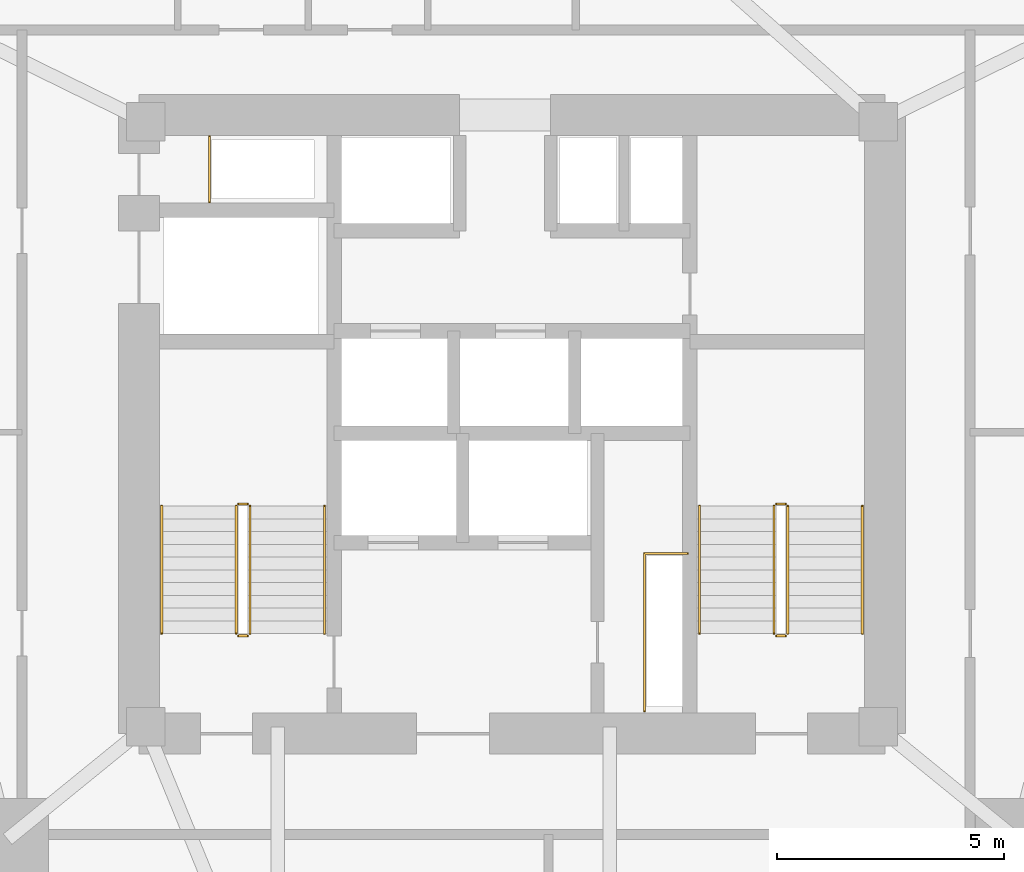
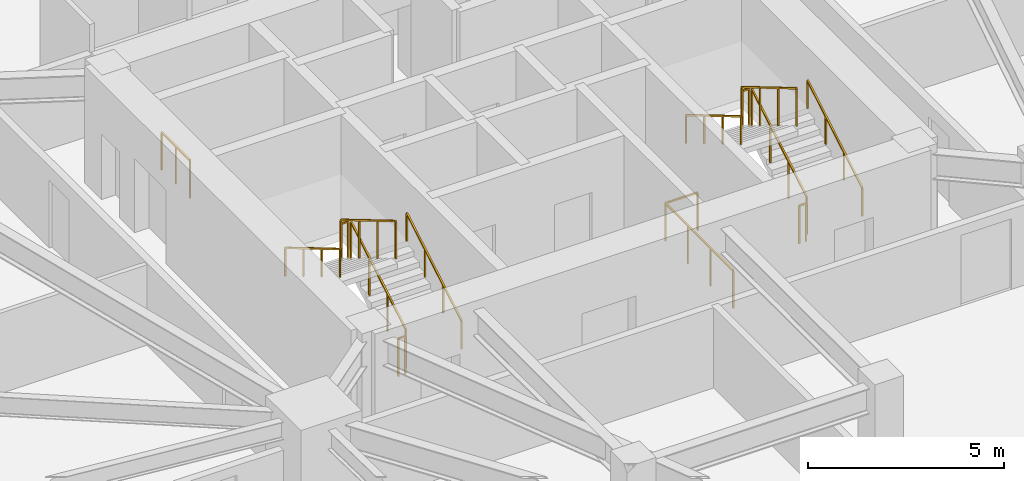
# One storey, part 20 of 20: 14 railings.
"""IFC4 building model written with IfcOpenShell, lengths in metres."""

from ifc_helpers import new_model, si_unit, direction, frame, origin, origin_2d, place, context, subcontext, project, spatial, rectangle, extrude, material, type_object, element, save


model = new_model("IFC4")

# Units and contexts
model_context = context("Model", 3, precision=1e-05, world=origin(), true_north=direction((0.0, 1.0)))
body_context = subcontext(model_context, "Body", "Model", "MODEL_VIEW")
ifc_project = project(units=[si_unit("LENGTHUNIT", "METRE"), si_unit("AREAUNIT", "SQUARE_METRE"), si_unit("VOLUMEUNIT", "CUBIC_METRE"), si_unit("PLANEANGLEUNIT", "RADIAN"), si_unit("MASSUNIT", "GRAM", prefix="KILO")], contexts=[model_context])

# Site, building, storey
site_placement = place(None, origin())
site = spatial("IfcSite", under=ifc_project, at=site_placement, CompositionType="ELEMENT")
building_placement = place(site_placement, origin())
building = spatial("IfcBuilding", under=site, at=building_placement, Name="Talyreon Biosciences Tower", CompositionType="ELEMENT")
storey_placement = place(building_placement, frame((0.0, 0.0, 30.10009765625)))
storey = spatial("IfcBuildingStorey", under=building, at=storey_placement, Name="L07", CompositionType="ELEMENT", Elevation=30.10009765625)

# Railings
ifc_material_1 = material(Name="Brushed stainless-steel tubular handrail", Category="steel")
railing_type_1 = type_object("IfcRailingType", Name="StairWallHandrail_900", PredefinedType="HANDRAIL", material=ifc_material_1)
railing_1_placement = place(storey_placement, frame((61.8798828125, 63.39990234375, 0.165771484375)))
element("IfcRailing", 1, at=railing_1_placement, inside=storey, type_object=railing_type_1, Name="L07 ST-1 stair handrail 1", PredefinedType="HANDRAIL", context=body_context, shape_type="SweptSolid", body=[
    extrude(rectangle(XDim=0.048095703125, YDim=0.048095703125, at=origin_2d()), frame((0.0, 0.0, 0.8759765625), z_axis=(0.0, 0.860306154799, 0.50977771628), x_axis=(-1.0, 0.0, 0.0)), (0.0, 0.0, 1.0), 3.254638671875),
    extrude(rectangle(XDim=0.0419921875, YDim=0.0419921875, at=origin_2d()), origin(), (0.0, 0.0, 1.0), 0.851806640625),
    extrude(rectangle(XDim=0.0419921875, YDim=0.0419921875, at=origin_2d()), frame((0.0, 0.933349609375, 0.552978515625)), (0.0, 0.0, 1.0), 0.851806640625),
    extrude(rectangle(XDim=0.0419921875, YDim=0.0419921875, at=origin_2d()), frame((0.0, 1.86669921875, 1.106201171875)), (0.0, 0.0, 1.0), 0.851806640625),
    extrude(rectangle(XDim=0.0419921875, YDim=0.0419921875, at=origin_2d()), frame((0.0, 2.800048828125, 1.6591796875)), (0.0, 0.0, 1.0), 0.851806640625),
])
railing_2_placement = place(storey_placement, frame((58.300048828125, 66.199951171875, 1.99072265625)))
element("IfcRailing", 2, at=railing_2_placement, inside=storey, type_object=railing_type_1, Name="L07 ST-1 stair handrail 2", PredefinedType="HANDRAIL", context=body_context, shape_type="SweptSolid", body=[
    extrude(rectangle(XDim=0.048095703125, YDim=0.048095703125, at=origin_2d()), frame((0.0, 0.0, 0.8759765625), z_axis=(0.0, -0.860306154799, 0.50977771628), x_axis=(1.0, 0.0, 0.0)), (0.0, 0.0, 1.0), 3.254638671875),
    extrude(rectangle(XDim=0.0419921875, YDim=0.0419921875, at=origin_2d()), origin(), (0.0, 0.0, 1.0), 0.851806640625),
    extrude(rectangle(XDim=0.0419921875, YDim=0.0419921875, at=origin_2d()), frame((0.0, -0.933349609375, 0.552978515625)), (0.0, 0.0, 1.0), 0.851806640625),
    extrude(rectangle(XDim=0.0419921875, YDim=0.0419921875, at=origin_2d()), frame((0.0, -1.86669921875, 1.106201171875)), (0.0, 0.0, 1.0), 0.851806640625),
    extrude(rectangle(XDim=0.0419921875, YDim=0.0419921875, at=origin_2d()), frame((0.0, -2.800048828125, 1.6591796875)), (0.0, 0.0, 1.0), 0.851806640625),
])
railing_3_placement = place(storey_placement, frame((73.699951171875, 63.39990234375, 0.165771484375)))
element("IfcRailing", 3, at=railing_3_placement, inside=storey, type_object=railing_type_1, Name="L07 ST-2 stair handrail 1", PredefinedType="HANDRAIL", context=body_context, shape_type="SweptSolid", body=[
    extrude(rectangle(XDim=0.048095703125, YDim=0.048095703125, at=origin_2d()), frame((0.0, 0.0, 0.8759765625), z_axis=(0.0, 0.860306154799, 0.50977771628), x_axis=(-1.0, 0.0, 0.0)), (0.0, 0.0, 1.0), 3.254638671875),
    extrude(rectangle(XDim=0.0419921875, YDim=0.0419921875, at=origin_2d()), origin(), (0.0, 0.0, 1.0), 0.851806640625),
    extrude(rectangle(XDim=0.0419921875, YDim=0.0419921875, at=origin_2d()), frame((0.0, 0.933349609375, 0.552978515625)), (0.0, 0.0, 1.0), 0.851806640625),
    extrude(rectangle(XDim=0.0419921875, YDim=0.0419921875, at=origin_2d()), frame((0.0, 1.86669921875, 1.106201171875)), (0.0, 0.0, 1.0), 0.851806640625),
    extrude(rectangle(XDim=0.0419921875, YDim=0.0419921875, at=origin_2d()), frame((0.0, 2.800048828125, 1.6591796875)), (0.0, 0.0, 1.0), 0.851806640625),
])
railing_4_placement = place(storey_placement, frame((70.1201171875, 66.199951171875, 1.99072265625)))
element("IfcRailing", 4, at=railing_4_placement, inside=storey, type_object=railing_type_1, Name="L07 ST-2 stair handrail 2", PredefinedType="HANDRAIL", context=body_context, shape_type="SweptSolid", body=[
    extrude(rectangle(XDim=0.048095703125, YDim=0.048095703125, at=origin_2d()), frame((0.0, 0.0, 0.8759765625), z_axis=(0.0, -0.860306154799, 0.50977771628), x_axis=(1.0, 0.0, 0.0)), (0.0, 0.0, 1.0), 3.254638671875),
    extrude(rectangle(XDim=0.0419921875, YDim=0.0419921875, at=origin_2d()), origin(), (0.0, 0.0, 1.0), 0.851806640625),
    extrude(rectangle(XDim=0.0419921875, YDim=0.0419921875, at=origin_2d()), frame((0.0, -0.933349609375, 0.552978515625)), (0.0, 0.0, 1.0), 0.851806640625),
    extrude(rectangle(XDim=0.0419921875, YDim=0.0419921875, at=origin_2d()), frame((0.0, -1.86669921875, 1.106201171875)), (0.0, 0.0, 1.0), 0.851806640625),
    extrude(rectangle(XDim=0.0419921875, YDim=0.0419921875, at=origin_2d()), frame((0.0, -2.800048828125, 1.6591796875)), (0.0, 0.0, 1.0), 0.851806640625),
])
ifc_material_2 = material(Name="Painted galvanised steel post-and-rail balustrade", Category="steel")
railing_type_2 = type_object("IfcRailingType", Name="TerraceStairGuard_1200", PredefinedType="GUARDRAIL", material=ifc_material_2)
railing_5_placement = place(storey_placement, frame((60.239990234375, 63.39990234375, 0.165771484375)))
element("IfcRailing", 5, at=railing_5_placement, inside=storey, type_object=railing_type_2, Name="L07 ST-1 stair guard 1", PredefinedType="GUARDRAIL", context=body_context, shape_type="SweptSolid", body=[
    extrude(rectangle(XDim=0.048095703125, YDim=0.048095703125, at=origin_2d()), frame((0.0, 0.0, 1.17578125), z_axis=(0.0, 0.860306154799, 0.50977771628), x_axis=(-1.0, 0.0, 0.0)), (0.0, 0.0, 1.0), 3.254638671875),
    extrude(rectangle(XDim=0.0419921875, YDim=0.0419921875, at=origin_2d()), origin(), (0.0, 0.0, 1.0), 1.15185546875),
    extrude(rectangle(XDim=0.0419921875, YDim=0.0419921875, at=origin_2d()), frame((0.0, 0.933349609375, 0.552978515625)), (0.0, 0.0, 1.0), 1.15185546875),
    extrude(rectangle(XDim=0.0419921875, YDim=0.0419921875, at=origin_2d()), frame((0.0, 1.86669921875, 1.106201171875)), (0.0, 0.0, 1.0), 1.15185546875),
    extrude(rectangle(XDim=0.0419921875, YDim=0.0419921875, at=origin_2d()), frame((0.0, 2.800048828125, 1.6591796875)), (0.0, 0.0, 1.0), 1.15185546875),
])
railing_6_placement = place(storey_placement, frame((60.18994140625, 66.25, 1.824951171875)))
element("IfcRailing", 6, at=railing_6_placement, inside=storey, type_object=railing_type_2, Name="L07 ST-1 stair guard 2", PredefinedType="GUARDRAIL", context=body_context, shape_type="SweptSolid", body=[
    extrude(rectangle(XDim=0.048095703125, YDim=0.048095703125, at=origin_2d()), frame((0.0, 0.0, 1.17578125), z_axis=(-1.0, 0.0, 0.0), x_axis=(0.0, -1.0, 0.0)), (0.0, 0.0, 1.0), 0.199951171875),
    extrude(rectangle(XDim=0.0419921875, YDim=0.0419921875, at=origin_2d()), origin(), (0.0, 0.0, 1.0), 1.15185546875),
    extrude(rectangle(XDim=0.0419921875, YDim=0.0419921875, at=origin_2d()), frame((-0.199951171875, 0.0, 0.0)), (0.0, 0.0, 1.0), 1.15185546875),
])
railing_7_placement = place(storey_placement, frame((59.93994140625, 66.199951171875, 1.99072265625)))
element("IfcRailing", 7, at=railing_7_placement, inside=storey, type_object=railing_type_2, Name="L07 ST-1 stair guard 3", PredefinedType="GUARDRAIL", context=body_context, shape_type="SweptSolid", body=[
    extrude(rectangle(XDim=0.048095703125, YDim=0.048095703125, at=origin_2d()), frame((0.0, 0.0, 1.17578125), z_axis=(0.0, -0.860306154799, 0.50977771628), x_axis=(1.0, 0.0, 0.0)), (0.0, 0.0, 1.0), 3.254638671875),
    extrude(rectangle(XDim=0.0419921875, YDim=0.0419921875, at=origin_2d()), origin(), (0.0, 0.0, 1.0), 1.15185546875),
    extrude(rectangle(XDim=0.0419921875, YDim=0.0419921875, at=origin_2d()), frame((0.0, -0.933349609375, 0.552978515625)), (0.0, 0.0, 1.0), 1.15185546875),
    extrude(rectangle(XDim=0.0419921875, YDim=0.0419921875, at=origin_2d()), frame((0.0, -1.86669921875, 1.106201171875)), (0.0, 0.0, 1.0), 1.15185546875),
    extrude(rectangle(XDim=0.0419921875, YDim=0.0419921875, at=origin_2d()), frame((0.0, -2.800048828125, 1.6591796875)), (0.0, 0.0, 1.0), 1.15185546875),
])
railing_8_placement = place(storey_placement, frame((60.18994140625, 63.35009765625, 0.0)))
element("IfcRailing", 8, at=railing_8_placement, inside=storey, type_object=railing_type_2, Name="L07 ST-1 stair guard 4", PredefinedType="GUARDRAIL", context=body_context, shape_type="SweptSolid", body=[
    extrude(rectangle(XDim=0.048095703125, YDim=0.048095703125, at=origin_2d()), frame((0.0, 0.0, 1.17578125), z_axis=(-1.0, 0.0, 0.0), x_axis=(0.0, -1.0, 0.0)), (0.0, 0.0, 1.0), 0.199951171875),
    extrude(rectangle(XDim=0.0419921875, YDim=0.0419921875, at=origin_2d()), origin(), (0.0, 0.0, 1.0), 1.15185546875),
    extrude(rectangle(XDim=0.0419921875, YDim=0.0419921875, at=origin_2d()), frame((-0.199951171875, 0.0, 0.0)), (0.0, 0.0, 1.0), 1.15185546875),
])
railing_9_placement = place(storey_placement, frame((72.06005859375, 63.39990234375, 0.165771484375)))
element("IfcRailing", 9, at=railing_9_placement, inside=storey, type_object=railing_type_2, Name="L07 ST-2 stair guard 1", PredefinedType="GUARDRAIL", context=body_context, shape_type="SweptSolid", body=[
    extrude(rectangle(XDim=0.048095703125, YDim=0.048095703125, at=origin_2d()), frame((0.0, 0.0, 1.17578125), z_axis=(0.0, 0.860306154799, 0.50977771628), x_axis=(-1.0, 0.0, 0.0)), (0.0, 0.0, 1.0), 3.254638671875),
    extrude(rectangle(XDim=0.0419921875, YDim=0.0419921875, at=origin_2d()), origin(), (0.0, 0.0, 1.0), 1.15185546875),
    extrude(rectangle(XDim=0.0419921875, YDim=0.0419921875, at=origin_2d()), frame((0.0, 0.933349609375, 0.552978515625)), (0.0, 0.0, 1.0), 1.15185546875),
    extrude(rectangle(XDim=0.0419921875, YDim=0.0419921875, at=origin_2d()), frame((0.0, 1.86669921875, 1.106201171875)), (0.0, 0.0, 1.0), 1.15185546875),
    extrude(rectangle(XDim=0.0419921875, YDim=0.0419921875, at=origin_2d()), frame((0.0, 2.800048828125, 1.6591796875)), (0.0, 0.0, 1.0), 1.15185546875),
])
railing_10_placement = place(storey_placement, frame((72.010009765625, 66.25, 1.824951171875)))
element("IfcRailing", 10, at=railing_10_placement, inside=storey, type_object=railing_type_2, Name="L07 ST-2 stair guard 2", PredefinedType="GUARDRAIL", context=body_context, shape_type="SweptSolid", body=[
    extrude(rectangle(XDim=0.048095703125, YDim=0.048095703125, at=origin_2d()), frame((0.0, 0.0, 1.17578125), z_axis=(-1.0, 0.0, 0.0), x_axis=(0.0, -1.0, 0.0)), (0.0, 0.0, 1.0), 0.199951171875),
    extrude(rectangle(XDim=0.0419921875, YDim=0.0419921875, at=origin_2d()), origin(), (0.0, 0.0, 1.0), 1.15185546875),
    extrude(rectangle(XDim=0.0419921875, YDim=0.0419921875, at=origin_2d()), frame((-0.199951171875, 0.0, 0.0)), (0.0, 0.0, 1.0), 1.15185546875),
])
railing_11_placement = place(storey_placement, frame((71.760009765625, 66.199951171875, 1.99072265625)))
element("IfcRailing", 11, at=railing_11_placement, inside=storey, type_object=railing_type_2, Name="L07 ST-2 stair guard 3", PredefinedType="GUARDRAIL", context=body_context, shape_type="SweptSolid", body=[
    extrude(rectangle(XDim=0.048095703125, YDim=0.048095703125, at=origin_2d()), frame((0.0, 0.0, 1.17578125), z_axis=(0.0, -0.860306154799, 0.50977771628), x_axis=(1.0, 0.0, 0.0)), (0.0, 0.0, 1.0), 3.254638671875),
    extrude(rectangle(XDim=0.0419921875, YDim=0.0419921875, at=origin_2d()), origin(), (0.0, 0.0, 1.0), 1.15185546875),
    extrude(rectangle(XDim=0.0419921875, YDim=0.0419921875, at=origin_2d()), frame((0.0, -0.933349609375, 0.552978515625)), (0.0, 0.0, 1.0), 1.15185546875),
    extrude(rectangle(XDim=0.0419921875, YDim=0.0419921875, at=origin_2d()), frame((0.0, -1.86669921875, 1.106201171875)), (0.0, 0.0, 1.0), 1.15185546875),
    extrude(rectangle(XDim=0.0419921875, YDim=0.0419921875, at=origin_2d()), frame((0.0, -2.800048828125, 1.6591796875)), (0.0, 0.0, 1.0), 1.15185546875),
])
railing_12_placement = place(storey_placement, frame((72.010009765625, 63.35009765625, 0.0)))
element("IfcRailing", 12, at=railing_12_placement, inside=storey, type_object=railing_type_2, Name="L07 ST-2 stair guard 4", PredefinedType="GUARDRAIL", context=body_context, shape_type="SweptSolid", body=[
    extrude(rectangle(XDim=0.048095703125, YDim=0.048095703125, at=origin_2d()), frame((0.0, 0.0, 1.17578125), z_axis=(-1.0, 0.0, 0.0), x_axis=(0.0, -1.0, 0.0)), (0.0, 0.0, 1.0), 0.199951171875),
    extrude(rectangle(XDim=0.0419921875, YDim=0.0419921875, at=origin_2d()), origin(), (0.0, 0.0, 1.0), 1.15185546875),
    extrude(rectangle(XDim=0.0419921875, YDim=0.0419921875, at=origin_2d()), frame((-0.199951171875, 0.0, 0.0)), (0.0, 0.0, 1.0), 1.15185546875),
])
railing_13_placement = place(storey_placement, frame((59.35009765625, 72.8798828125, 0.0)))
element("IfcRailing", 13, at=railing_13_placement, inside=storey, type_object=railing_type_2, Name="L07 Exhaust Riser Maintenance Guardrail", PredefinedType="GUARDRAIL", context=body_context, shape_type="SweptSolid", body=[
    extrude(rectangle(XDim=0.048095703125, YDim=0.048095703125, at=origin_2d()), frame((0.0, 0.0, 1.17578125), z_axis=(0.0, 1.0, 0.0), x_axis=(-1.0, 0.0, 0.0)), (0.0, 0.0, 1.0), 1.4501953125),
    extrude(rectangle(XDim=0.0419921875, YDim=0.0419921875, at=origin_2d()), origin(), (0.0, 0.0, 1.0), 1.15185546875),
    extrude(rectangle(XDim=0.0419921875, YDim=0.0419921875, at=origin_2d()), frame((0.0, 0.72509765625, 0.0)), (0.0, 0.0, 1.0), 1.15185546875),
    extrude(rectangle(XDim=0.0419921875, YDim=0.0419921875, at=origin_2d()), frame((0.0, 1.4501953125, 0.0)), (0.0, 0.0, 1.0), 1.15185546875),
])
railing_14_placement = place(storey_placement, frame((68.909912109375, 61.699951171875, 0.0)))
element("IfcRailing", 14, at=railing_14_placement, inside=storey, type_object=railing_type_2, Name="L07 Electrical Riser Maintenance Guardrail", PredefinedType="GUARDRAIL", context=body_context, shape_type="SweptSolid", body=[
    extrude(rectangle(XDim=0.048095703125, YDim=0.048095703125, at=origin_2d()), frame((0.0, 0.0, 1.17578125), z_axis=(0.0, 1.0, 0.0), x_axis=(-1.0, 0.0, 0.0)), (0.0, 0.0, 1.0), 3.4599609375),
    extrude(rectangle(XDim=0.048095703125, YDim=0.048095703125, at=origin_2d()), frame((0.0, 3.4599609375, 1.17578125), z_axis=(1.0, 0.0, 0.0), x_axis=(0.0, 1.0, 0.0)), (0.0, 0.0, 1.0), 0.9501953125),
    extrude(rectangle(XDim=0.0419921875, YDim=0.0419921875, at=origin_2d()), origin(), (0.0, 0.0, 1.0), 1.15185546875),
    extrude(rectangle(XDim=0.0419921875, YDim=0.0419921875, at=origin_2d()), frame((0.0, 1.1533203125, 0.0)), (0.0, 0.0, 1.0), 1.15185546875),
    extrude(rectangle(XDim=0.0419921875, YDim=0.0419921875, at=origin_2d()), frame((0.0, 2.306640625, 0.0)), (0.0, 0.0, 1.0), 1.15185546875),
    extrude(rectangle(XDim=0.0419921875, YDim=0.0419921875, at=origin_2d()), frame((0.0, 3.4599609375, 0.0)), (0.0, 0.0, 1.0), 1.15185546875),
    extrude(rectangle(XDim=0.0419921875, YDim=0.0419921875, at=origin_2d()), frame((0.9501953125, 3.4599609375, 0.0)), (0.0, 0.0, 1.0), 1.15185546875),
])

save(model, "model.ifc")
